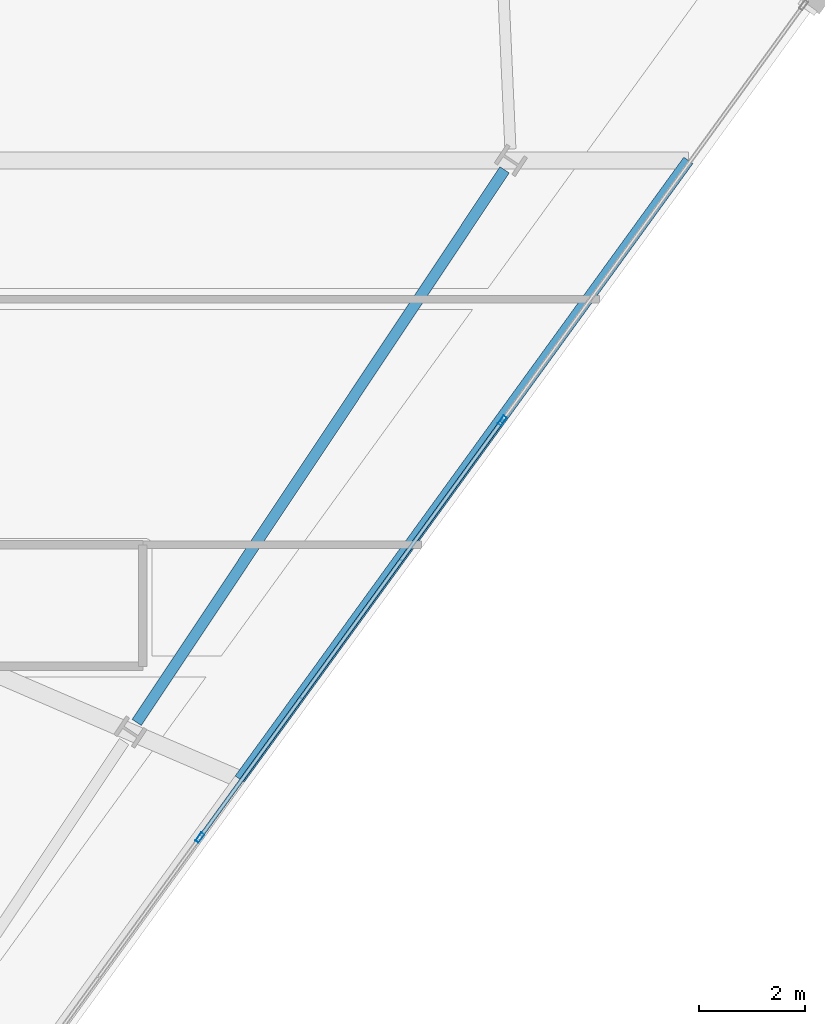
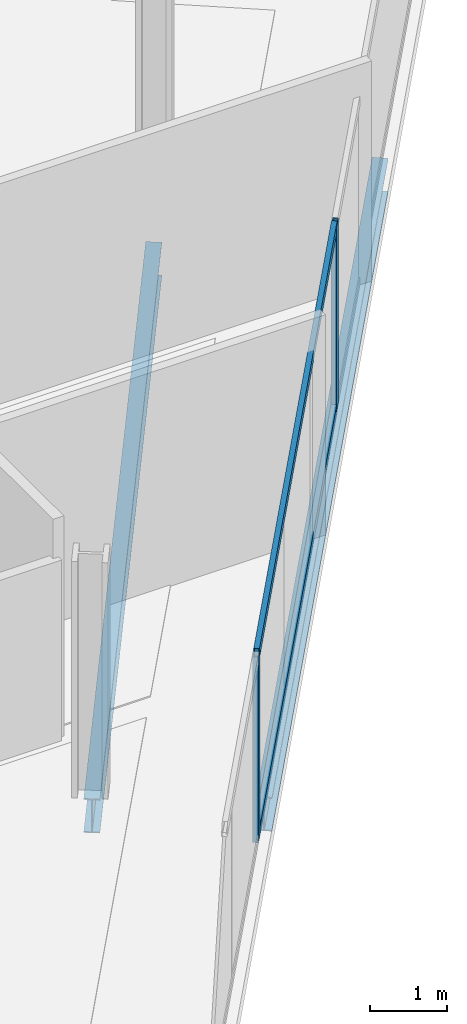
# One storey, part 11 of 29: 4 members, 2 beams, 1 element without a shape of its own.
"""IFC4 building model written with IfcOpenShell, lengths in metres."""

from ifc_helpers import new_model, si_unit, direction, frame, origin, origin_2d, place, context, subcontext, project, spatial, hollow_rectangle, i_section, extrude, material, material_profile, profile_set, type_object, element, aggregate, save


model = new_model("IFC4")

# Units and contexts
model_context = context("Model", 3, precision=1e-05, world=origin(), true_north=direction((0.0, 1.0)))
body_context = subcontext(model_context, "Body", "Model", "MODEL_VIEW")
ifc_project = project(units=[si_unit("LENGTHUNIT", "METRE"), si_unit("AREAUNIT", "SQUARE_METRE"), si_unit("VOLUMEUNIT", "CUBIC_METRE"), si_unit("PLANEANGLEUNIT", "RADIAN"), si_unit("MASSUNIT", "GRAM", prefix="KILO")], contexts=[model_context])

# Site, building, storey
site_placement = place(None, origin())
site = spatial("IfcSite", under=ifc_project, at=site_placement, CompositionType="ELEMENT")
building_placement = place(site_placement, origin())
building = spatial("IfcBuilding", under=site, at=building_placement, Name="Haldenkirk Collegiate Tower", CompositionType="ELEMENT")
storey_placement = place(building_placement, frame((0.0, 0.0, 209.699951171875)))
storey = spatial("IfcBuildingStorey", under=building, at=storey_placement, Name="L52", CompositionType="ELEMENT", Elevation=209.699951171875)

# Beams
ifc_material_1 = material(Name="Steel ASTM A992 Grade 50", Category="steel")
ifc_material_profile_1 = material_profile(ifc_material_1, i_section(OverallWidth=0.2099609375, OverallDepth=0.537109375, WebThickness=0.010986328125, FlangeThickness=0.017333984375, at=origin_2d()), Name="W21X68")
ifc_profile_set_1 = profile_set([ifc_material_profile_1], Name="Steel ASTM A992 Grade 50")
beam_type = type_object("IfcBeamType", Name="BM-SPANDREL-W21X68", PredefinedType="SPANDREL", material=ifc_profile_set_1)
beam_1_placement = place(storey_placement, frame((53.6845703125, 14.48876953125, -0.54833984375), z_axis=(0.554125989098, 0.832432813028, 0.0), x_axis=(-0.832432813028, 0.554125989098, 0.0)))
element("IfcBeam", 1, at=beam_1_placement, inside=storey, type_object=beam_type, Name="L52 perimeter spandrel beam 03", PredefinedType="SPANDREL", context=body_context, shape_type="SweptSolid", body=[
    extrude(i_section(OverallWidth=0.2099609375, OverallDepth=0.537109375, WebThickness=0.010986328125, FlangeThickness=0.017333984375, at=origin_2d()), origin(), (0.0, 0.0, 1.0), 12.56201171875),
])
beam_2_placement = place(storey_placement, frame((55.632080078125, 13.416748046875, -0.54833984375), z_axis=(0.587076261841, 0.809531631737, 0.0), x_axis=(-0.809531631737, 0.587076261841, 0.0)))
element("IfcBeam", 2, at=beam_2_placement, inside=storey, type_object=beam_type, Name="L52 outer facade edge beam 1B", PredefinedType="SPANDREL", context=body_context, shape_type="SweptSolid", body=[
    extrude(i_section(OverallWidth=0.2099609375, OverallDepth=0.537109375, WebThickness=0.010986328125, FlangeThickness=0.017333984375, at=origin_2d()), origin(), (0.0, 0.0, 1.0), 14.46484375),
])

# Curtain wall, members
ifc_material_2 = material(Name="Anodised architectural bronze aluminium", Category="aluminium")
curtain_wall_type = type_object("IfcCurtainWallType", Name="CW-SYS2-CONCAVE", PredefinedType="USERDEFINED", material=ifc_material_2)
curtain_wall_placement = place(storey_placement, origin())
curtain_wall = element("IfcCurtainWall", 3, at=curtain_wall_placement, inside=storey, type_object=curtain_wall_type, Name="L52 South concave recessed bronze-anodised curtain wall", ObjectType="UNITISED CURTAIN WALL", PredefinedType="USERDEFINED")
ifc_material_profile_2 = material_profile(ifc_material_2, hollow_rectangle(XDim=0.074951171875, YDim=0.18994140625, WallThickness=0.0048828125, at=origin_2d()), Name="CW-MUL-02")
ifc_profile_set_2 = profile_set([ifc_material_profile_2], Name="Anodised architectural bronze aluminium")
member_type_1 = type_object("IfcMemberType", Name="CW-MUL-02", PredefinedType="MULLION", material=ifc_profile_set_2)
member_1_placement = place(storey_placement, frame((60.602294921875, 20.2021484375, 0.0), z_axis=(0.0, 0.0, 1.0), x_axis=(0.809528917851, -0.587080004057, 0.0)))
member_1 = element("IfcMember", 4, at=member_1_placement, type_object=member_type_1, Name="CW-02 mullion 2", PredefinedType="MULLION", context=body_context, shape_type="SweptSolid", body=[
    extrude(hollow_rectangle(XDim=0.074951171875, YDim=0.18994140625, WallThickness=0.0048828125, at=origin_2d()), origin(), (0.0, 0.0, 1.0), 2.927978515625),
])
member_2_placement = place(storey_placement, frame((54.878173828125, 12.309326171875, 0.0), z_axis=(0.0, 0.0, 1.0), x_axis=(0.809528917851, -0.587080004057, 0.0)))
member_2 = element("IfcMember", 5, at=member_2_placement, type_object=member_type_1, Name="CW-02 mullion 3", PredefinedType="MULLION", context=body_context, shape_type="SweptSolid", body=[
    extrude(hollow_rectangle(XDim=0.074951171875, YDim=0.18994140625, WallThickness=0.0048828125, at=origin_2d()), origin(), (0.0, 0.0, 1.0), 2.927978515625),
])
ifc_material_profile_3 = material_profile(ifc_material_2, hollow_rectangle(XDim=0.074951171875, YDim=0.159912109375, WallThickness=0.0048828125, at=origin_2d()), Name="CW-TRN-02")
ifc_profile_set_3 = profile_set([ifc_material_profile_3], Name="Anodised architectural bronze aluminium")
member_type_2 = type_object("IfcMemberType", Name="CW-TRN-02", PredefinedType="USERDEFINED", material=ifc_profile_set_3)
member_3_placement = place(storey_placement, frame((60.580322265625, 20.171875, 0.03759765625), z_axis=(-0.587087892951, -0.809523196672, 0.0), x_axis=(0.809523196672, -0.587087892951, 0.0)))
member_3 = element("IfcMember", 6, at=member_3_placement, type_object=member_type_2, Name="CW-02 transom 2.1", ObjectType="TRANSOM", PredefinedType="USERDEFINED", context=body_context, shape_type="SweptSolid", body=[
    extrude(hollow_rectangle(XDim=0.074951171875, YDim=0.159912109375, WallThickness=0.0048828125, at=origin_2d()), origin(), (0.0, 0.0, 1.0), 9.67529296875),
])
member_4_placement = place(storey_placement, frame((60.580322265625, 20.171875, 2.890625), z_axis=(-0.587087892951, -0.809523196672, 0.0), x_axis=(0.809523196672, -0.587087892951, 0.0)))
member_4 = element("IfcMember", 7, at=member_4_placement, type_object=member_type_2, Name="CW-02 transom 2.2", ObjectType="TRANSOM", PredefinedType="USERDEFINED", context=body_context, shape_type="SweptSolid", body=[
    extrude(hollow_rectangle(XDim=0.074951171875, YDim=0.159912109375, WallThickness=0.0048828125, at=origin_2d()), origin(), (0.0, 0.0, 1.0), 9.67529296875),
])
aggregate(curtain_wall, [member_1, member_2, member_3, member_4])

save(model, "model.ifc")
